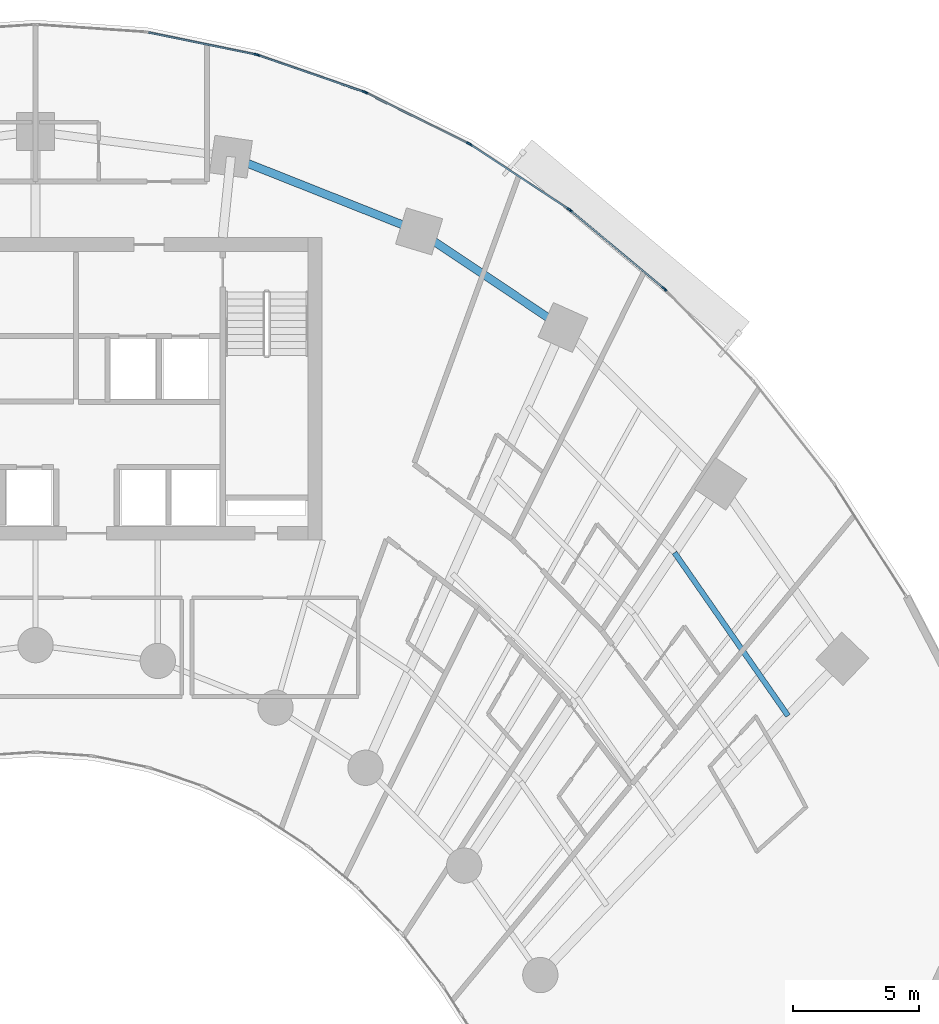
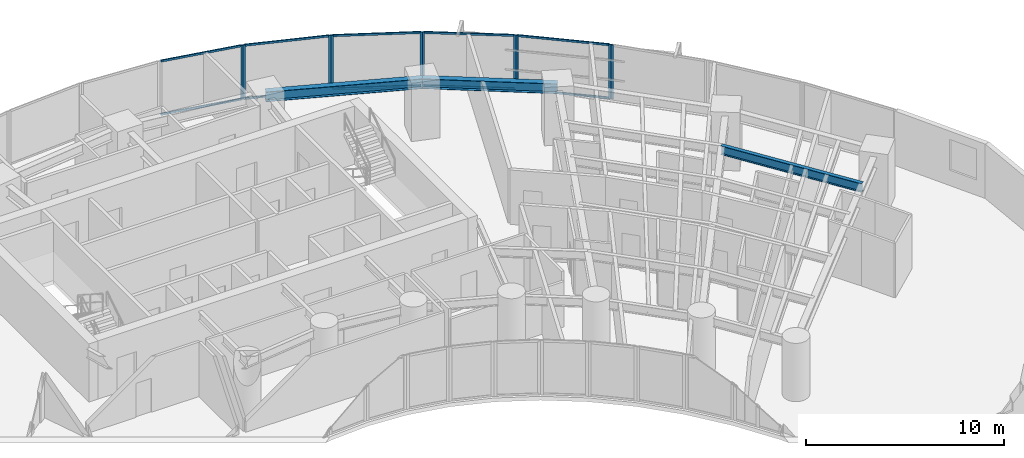
# One storey, part 7 of 18: 20 members, 3 beams, 6 elements without a shape of their own.
"""IFC4 building model written with IfcOpenShell, lengths in metres."""

from ifc_helpers import new_model, si_unit, direction, frame, origin, origin_2d, place, context, subcontext, project, spatial, rectangle, i_section, extrude, source, transform, mapped, material, layer, layer_set, material_profile, profile_set, type_object, type_shapes, element, aggregate, save


model = new_model("IFC4")

# Units and contexts
model_context = context("Model", 3, precision=1e-05, world=origin(), true_north=direction((0.0, 1.0)))
body_context = subcontext(model_context, "Body", "Model", "MODEL_VIEW")
ifc_project = project(units=[si_unit("LENGTHUNIT", "METRE"), si_unit("AREAUNIT", "SQUARE_METRE"), si_unit("VOLUMEUNIT", "CUBIC_METRE"), si_unit("PLANEANGLEUNIT", "RADIAN"), si_unit("MASSUNIT", "GRAM", prefix="KILO")], contexts=[model_context])

# Site, building, storey
site_placement = place(None, origin())
site = spatial("IfcSite", under=ifc_project, at=site_placement, CompositionType="ELEMENT")
building_placement = place(site_placement, origin())
building = spatial("IfcBuilding", under=site, at=building_placement, Name="Breltana Convention Tower", CompositionType="ELEMENT")
storey_placement = place(building_placement, frame((0.0, 0.0, 35.39990234375)))
storey = spatial("IfcBuildingStorey", under=building, at=storey_placement, Name="L06", CompositionType="ELEMENT", Elevation=35.39990234375)

# Beams
ifc_material_1 = material(Name="Steel ASTM A992 Grade 50", Category="steel")
ifc_material_profile_1 = material_profile(ifc_material_1, i_section(OverallWidth=0.323974609375, OverallDepth=0.611083984375, WebThickness=0.0126953125, FlangeThickness=0.01904296875, at=origin_2d()), Name="W24X104")
ifc_profile_set_1 = profile_set([ifc_material_profile_1], Name="Steel ASTM A992 Grade 50")
beam_type_1 = type_object("IfcBeamType", Name="BM-SP-W24X104", PredefinedType="SPANDREL", material=ifc_profile_set_1)
shared_shape_1 = source(origin(), body_context, "Body", "SweptSolid", [
    extrude(i_section(OverallWidth=0.323974609375, OverallDepth=0.611083984375, WebThickness=0.0126953125, FlangeThickness=0.01904296875, at=origin_2d()), origin(), (0.0, 0.0, 1.0), 8.028564453125),
])
beam_1_placement = place(storey_placement, frame((55.746826171875, 75.404296875, 3.0546875), z_axis=(0.929459100394, -0.368925169507, 0.0), x_axis=(0.368925169507, 0.929459100394, 0.0)))
element("IfcBeam", 1, at=beam_1_placement, inside=storey, type_object=beam_type_1, Name="L06 Outer Spandrel Beam 07", PredefinedType="SPANDREL", context=body_context, shape_type="MappedRepresentation", body=[
    mapped(shared_shape_1, transform((0.0, 0.0, 0.0), scale=1.0)),
])
shared_shape_2 = source(origin(), body_context, "Body", "SweptSolid", [
    extrude(i_section(OverallWidth=0.323974609375, OverallDepth=0.611083984375, WebThickness=0.0126953125, FlangeThickness=0.01904296875, at=origin_2d()), origin(), (0.0, 0.0, 1.0), 6.856689453125),
])
beam_2_placement = place(storey_placement, frame((63.208984375, 72.4423828125, 3.0546875), z_axis=(0.83150210718, -0.55552159792, 0.0), x_axis=(0.55552159792, 0.83150210718, 0.0)))
element("IfcBeam", 2, at=beam_2_placement, inside=storey, type_object=beam_type_1, Name="L06 Outer Spandrel Beam 08", PredefinedType="SPANDREL", context=body_context, shape_type="MappedRepresentation", body=[
    mapped(shared_shape_2, transform((0.0, 0.0, 0.0), scale=1.0)),
])
ifc_material_profile_2 = material_profile(ifc_material_1, i_section(OverallWidth=0.214111328125, OverallDepth=0.549072265625, WebThickness=0.0146484375, FlangeThickness=0.023681640625, at=origin_2d()), Name="W21X93")
ifc_profile_set_2 = profile_set([ifc_material_profile_2], Name="Steel ASTM A992 Grade 50")
beam_type_2 = type_object("IfcBeamType", Name="BM-JSG-03", PredefinedType="JOIST", material=ifc_profile_set_2)
shared_shape_3 = source(origin(), body_context, "Body", "SweptSolid", [
    extrude(i_section(OverallWidth=0.214111328125, OverallDepth=0.549072265625, WebThickness=0.0146484375, FlangeThickness=0.023681640625, at=origin_2d()), origin(), (0.0, 0.0, 1.0), 7.88037109375),
])
beam_3_placement = place(storey_placement, frame((73.3359375, 59.70556640625, 3.085693359375), z_axis=(0.571197916304, -0.820812366141, 0.0), x_axis=(0.820812366141, 0.571197916304, 0.0)))
element("IfcBeam", 3, at=beam_3_placement, inside=storey, type_object=beam_type_2, Name="L06 Composite Floor Joist 10.4", PredefinedType="JOIST", context=body_context, shape_type="MappedRepresentation", body=[
    mapped(shared_shape_3, transform((0.0, 0.0, 0.0), scale=1.0)),
])

# Curtain wall, member
ifc_material_2 = material(Name="Aluminium Anodised Bronze Frame", Category="aluminium")
ifc_layer = layer(ifc_material_2, 0.199951171875, Name="Aluminium Anodised Bronze Frame")
ifc_layer_set = layer_set([ifc_layer], Name="Aluminium Anodised Bronze Frame")
curtain_wall_type = type_object("IfcCurtainWallType", Name="CW-SYS-2", PredefinedType="NOTDEFINED", material=ifc_layer_set)
curtain_wall_1_placement = place(storey_placement, origin())
curtain_wall_1 = element("IfcCurtainWall", 4, at=curtain_wall_1_placement, inside=storey, type_object=curtain_wall_type, Name="L06 outer double-skin inner glazing 11", PredefinedType="NOTDEFINED")
ifc_material_3 = material(Name="Aluminium Anodised Bronze", Category="aluminium")
ifc_material_profile_3 = material_profile(ifc_material_3, rectangle(XDim=0.070068359375, YDim=0.175048828125, at=origin_2d()), Name="CWM-70X175")
ifc_profile_set_3 = profile_set([ifc_material_profile_3], Name="Aluminium Anodised Bronze")
member_type_1 = type_object("IfcMemberType", Name="CWM-175", PredefinedType="MULLION", material=ifc_profile_set_3)
shared_shape_4 = source(origin(), body_context, "Body", "SweptSolid", [
    extrude(rectangle(XDim=0.070068359375, YDim=0.175048828125, at=origin_2d()), origin(), (0.0, 0.0, 1.0), 3.360107421875),
])
type_shapes(member_type_1, [shared_shape_4])
member_1_placement = place(storey_placement, frame((56.7451171875, 79.45751953125, 0.0), z_axis=(0.0, 0.0, 1.0), x_axis=(0.200884537139, 0.979614925743, 0.0)))
member_1 = element("IfcMember", 5, at=member_1_placement, type_object=member_type_1, Name="CW-02 mullion 2", PredefinedType="MULLION", context=body_context, shape_type="MappedRepresentation", body=[
    mapped(shared_shape_4, transform((0.0, 0.0, 0.0), scale=1.0)),
])

# Curtain wall, members
curtain_wall_2_placement = place(storey_placement, origin())
curtain_wall_2 = element("IfcCurtainWall", 6, at=curtain_wall_2_placement, inside=storey, type_object=curtain_wall_type, Name="L06 outer double-skin inner glazing 12", PredefinedType="NOTDEFINED")
member_2_placement = place(storey_placement, frame((56.8125, 79.43896484375, 0.0), z_axis=(0.0, 0.0, 1.0), x_axis=(0.32742834581, 0.944876012163, 0.0)))
member_2 = element("IfcMember", 7, at=member_2_placement, type_object=member_type_1, Name="CW-02 mullion 1", PredefinedType="MULLION", context=body_context, shape_type="MappedRepresentation", body=[
    mapped(shared_shape_4, transform((0.0, 0.0, 0.0), scale=1.0)),
])
member_3_placement = place(storey_placement, frame((61.025146484375, 77.979248046875, 0.0), z_axis=(0.0, 0.0, 1.0), x_axis=(0.32742834581, 0.944876012163, 0.0)))
member_3 = element("IfcMember", 8, at=member_3_placement, type_object=member_type_1, Name="CW-02 mullion 2", PredefinedType="MULLION", context=body_context, shape_type="MappedRepresentation", body=[
    mapped(shared_shape_4, transform((0.0, 0.0, 0.0), scale=1.0)),
])

curtain_wall_3_placement = place(storey_placement, origin())
curtain_wall_3 = element("IfcCurtainWall", 9, at=curtain_wall_3_placement, inside=storey, type_object=curtain_wall_type, Name="L06 outer double-skin inner glazing 13", PredefinedType="NOTDEFINED")
member_4_placement = place(storey_placement, frame((61.089599609375, 77.9521484375, 0.0), z_axis=(0.0, 0.0, 1.0), x_axis=(0.444107703726, 0.895973407804, 0.0)))
member_4 = element("IfcMember", 10, at=member_4_placement, type_object=member_type_1, Name="CW-02 mullion 1", PredefinedType="MULLION", context=body_context, shape_type="MappedRepresentation", body=[
    mapped(shared_shape_4, transform((0.0, 0.0, 0.0), scale=1.0)),
])
member_5_placement = place(storey_placement, frame((65.1728515625, 75.92822265625, 0.0), z_axis=(0.0, 0.0, 1.0), x_axis=(0.444107703726, 0.895973407804, 0.0)))
member_5 = element("IfcMember", 11, at=member_5_placement, type_object=member_type_1, Name="CW-02 mullion 2", PredefinedType="MULLION", context=body_context, shape_type="MappedRepresentation", body=[
    mapped(shared_shape_4, transform((0.0, 0.0, 0.0), scale=1.0)),
])

curtain_wall_4_placement = place(storey_placement, origin())
curtain_wall_4 = element("IfcCurtainWall", 12, at=curtain_wall_4_placement, inside=storey, type_object=curtain_wall_type, Name="L06 outer double-skin inner glazing 14", PredefinedType="NOTDEFINED")
member_6_placement = place(storey_placement, frame((65.233642578125, 75.8935546875, 0.0), z_axis=(0.0, 0.0, 1.0), x_axis=(0.548784255746, 0.83596401875, 0.0)))
member_6 = element("IfcMember", 13, at=member_6_placement, type_object=member_type_1, Name="CW-02 mullion 1", PredefinedType="MULLION", context=body_context, shape_type="MappedRepresentation", body=[
    mapped(shared_shape_4, transform((0.0, 0.0, 0.0), scale=1.0)),
])
member_7_placement = place(storey_placement, frame((69.146484375, 73.32470703125, 0.0), z_axis=(0.0, 0.0, 1.0), x_axis=(0.548784255746, 0.83596401875, 0.0)))
member_7 = element("IfcMember", 14, at=member_7_placement, type_object=member_type_1, Name="CW-02 mullion 2", PredefinedType="MULLION", context=body_context, shape_type="MappedRepresentation", body=[
    mapped(shared_shape_4, transform((0.0, 0.0, 0.0), scale=1.0)),
])

curtain_wall_5_placement = place(storey_placement, origin())
curtain_wall_5 = element("IfcCurtainWall", 15, at=curtain_wall_5_placement, inside=storey, type_object=curtain_wall_type, Name="L06 outer double-skin inner glazing 15", PredefinedType="NOTDEFINED")
member_8_placement = place(storey_placement, frame((69.20263671875, 73.283203125, 0.0), z_axis=(0.0, 0.0, 1.0), x_axis=(0.640520193554, 0.767941326958, 0.0)))
member_8 = element("IfcMember", 16, at=member_8_placement, type_object=member_type_1, Name="CW-02 mullion 1", PredefinedType="MULLION", context=body_context, shape_type="MappedRepresentation", body=[
    mapped(shared_shape_4, transform((0.0, 0.0, 0.0), scale=1.0)),
])
member_9_placement = place(storey_placement, frame((72.90478515625, 70.1953125, 0.0), z_axis=(0.0, 0.0, 1.0), x_axis=(0.640520193554, 0.767941326958, 0.0)))
member_9 = element("IfcMember", 17, at=member_9_placement, type_object=member_type_1, Name="CW-02 mullion 2", PredefinedType="MULLION", context=body_context, shape_type="MappedRepresentation", body=[
    mapped(shared_shape_4, transform((0.0, 0.0, 0.0), scale=1.0)),
])

# Curtain wall, member
curtain_wall_6_placement = place(storey_placement, origin())
curtain_wall_6 = element("IfcCurtainWall", 18, at=curtain_wall_6_placement, inside=storey, type_object=curtain_wall_type, Name="L06 outer double-skin inner glazing 16", PredefinedType="NOTDEFINED")
member_10_placement = place(storey_placement, frame((72.955810546875, 70.147705078125, 0.0), z_axis=(0.0, 0.0, 1.0), x_axis=(0.719386421003, 0.694610090106, 0.0)))
member_10 = element("IfcMember", 19, at=member_10_placement, type_object=member_type_1, Name="CW-02 mullion 1", PredefinedType="MULLION", context=body_context, shape_type="MappedRepresentation", body=[
    mapped(shared_shape_4, transform((0.0, 0.0, 0.0), scale=1.0)),
])
aggregate(curtain_wall_6, [member_10])

# Member
ifc_material_profile_4 = material_profile(ifc_material_3, rectangle(XDim=0.070068359375, YDim=0.1201171875, at=origin_2d()), Name="CWT-70X120")
ifc_profile_set_4 = profile_set([ifc_material_profile_4], Name="Aluminium Anodised Bronze")
member_type_2 = type_object("IfcMemberType", Name="CWT-120", PredefinedType="USERDEFINED", material=ifc_profile_set_4)
shared_shape_5 = source(origin(), body_context, "Body", "SweptSolid", [
    extrude(rectangle(XDim=0.070068359375, YDim=0.1201171875, at=origin_2d()), origin(), (0.0, 0.0, 1.0), 4.7509765625),
])
member_11_placement = place(storey_placement, frame((69.2294921875, 73.2607421875, 0.03515625), z_axis=(0.767951631807, -0.64050783852, 0.0), x_axis=(0.64050783852, 0.767951631807, 0.0)))
member_11 = element("IfcMember", 20, at=member_11_placement, type_object=member_type_2, Name="CW-02 transom 1.1", ObjectType="TRANSOM", PredefinedType="USERDEFINED", context=body_context, shape_type="MappedRepresentation", body=[
    mapped(shared_shape_5, transform((0.0, 0.0, 0.0), scale=1.0)),
])

member_12_placement = place(storey_placement, frame((69.2294921875, 73.2607421875, 3.3251953125), z_axis=(0.767951631807, -0.64050783852, 0.0), x_axis=(0.64050783852, 0.767951631807, 0.0)))
member_12 = element("IfcMember", 21, at=member_12_placement, type_object=member_type_2, Name="CW-02 transom 1.2", ObjectType="TRANSOM", PredefinedType="USERDEFINED", context=body_context, shape_type="MappedRepresentation", body=[
    mapped(shared_shape_5, transform((0.0, 0.0, 0.0), scale=1.0)),
])

aggregate(curtain_wall_5, [member_8, member_9, member_11, member_12])

shared_shape_6 = source(origin(), body_context, "Body", "SweptSolid", [
    extrude(rectangle(XDim=0.070068359375, YDim=0.1201171875, at=origin_2d()), origin(), (0.0, 0.0, 1.0), 4.610595703125),
])
member_13_placement = place(storey_placement, frame((65.262939453125, 75.874267578125, 0.03515625), z_axis=(0.835956055104, -0.54879638659, 0.0), x_axis=(0.54879638659, 0.835956055104, 0.0)))
member_13 = element("IfcMember", 22, at=member_13_placement, type_object=member_type_2, Name="CW-02 transom 1.1", ObjectType="TRANSOM", PredefinedType="USERDEFINED", context=body_context, shape_type="MappedRepresentation", body=[
    mapped(shared_shape_6, transform((0.0, 0.0, 0.0), scale=1.0)),
])

member_14_placement = place(storey_placement, frame((65.262939453125, 75.874267578125, 3.3251953125), z_axis=(0.835956055104, -0.54879638659, 0.0), x_axis=(0.54879638659, 0.835956055104, 0.0)))
member_14 = element("IfcMember", 23, at=member_14_placement, type_object=member_type_2, Name="CW-02 transom 1.2", ObjectType="TRANSOM", PredefinedType="USERDEFINED", context=body_context, shape_type="MappedRepresentation", body=[
    mapped(shared_shape_6, transform((0.0, 0.0, 0.0), scale=1.0)),
])

aggregate(curtain_wall_4, [member_6, member_7, member_13, member_14])

shared_shape_7 = source(origin(), body_context, "Body", "SweptSolid", [
    extrude(rectangle(XDim=0.070068359375, YDim=0.1201171875, at=origin_2d()), origin(), (0.0, 0.0, 1.0), 4.487548828125),
])
member_15_placement = place(storey_placement, frame((61.120849609375, 77.936767578125, 0.03515625), z_axis=(0.895977728863, -0.444098986017, 0.0), x_axis=(0.444098986017, 0.895977728863, 0.0)))
member_15 = element("IfcMember", 24, at=member_15_placement, type_object=member_type_2, Name="CW-02 transom 1.1", ObjectType="TRANSOM", PredefinedType="USERDEFINED", context=body_context, shape_type="MappedRepresentation", body=[
    mapped(shared_shape_7, transform((0.0, 0.0, 0.0), scale=1.0)),
])

member_16_placement = place(storey_placement, frame((61.120849609375, 77.936767578125, 3.3251953125), z_axis=(0.895977728863, -0.444098986017, 0.0), x_axis=(0.444098986017, 0.895977728863, 0.0)))
member_16 = element("IfcMember", 25, at=member_16_placement, type_object=member_type_2, Name="CW-02 transom 1.2", ObjectType="TRANSOM", PredefinedType="USERDEFINED", context=body_context, shape_type="MappedRepresentation", body=[
    mapped(shared_shape_7, transform((0.0, 0.0, 0.0), scale=1.0)),
])

aggregate(curtain_wall_3, [member_4, member_5, member_15, member_16])

shared_shape_8 = source(origin(), body_context, "Body", "SweptSolid", [
    extrude(rectangle(XDim=0.070068359375, YDim=0.1201171875, at=origin_2d()), origin(), (0.0, 0.0, 1.0), 4.38818359375),
])
member_17_placement = place(storey_placement, frame((56.845703125, 79.427490234375, 0.03515625), z_axis=(0.944878203019, -0.32742202348, 0.0), x_axis=(0.32742202348, 0.944878203019, 0.0)))
member_17 = element("IfcMember", 26, at=member_17_placement, type_object=member_type_2, Name="CW-02 transom 1.1", ObjectType="TRANSOM", PredefinedType="USERDEFINED", context=body_context, shape_type="MappedRepresentation", body=[
    mapped(shared_shape_8, transform((0.0, 0.0, 0.0), scale=1.0)),
])

member_18_placement = place(storey_placement, frame((56.845703125, 79.427490234375, 3.3251953125), z_axis=(0.944878203019, -0.32742202348, 0.0), x_axis=(0.32742202348, 0.944878203019, 0.0)))
member_18 = element("IfcMember", 27, at=member_18_placement, type_object=member_type_2, Name="CW-02 transom 1.2", ObjectType="TRANSOM", PredefinedType="USERDEFINED", context=body_context, shape_type="MappedRepresentation", body=[
    mapped(shared_shape_8, transform((0.0, 0.0, 0.0), scale=1.0)),
])

aggregate(curtain_wall_2, [member_2, member_3, member_17, member_18])

shared_shape_9 = source(origin(), body_context, "Body", "SweptSolid", [
    extrude(rectangle(XDim=0.070068359375, YDim=0.1201171875, at=origin_2d()), origin(), (0.0, 0.0, 1.0), 4.318359375),
])
member_19_placement = place(storey_placement, frame((52.480712890625, 80.33203125, 0.03515625), z_axis=(0.979616680923, -0.200875977799, 0.0), x_axis=(0.200875977799, 0.979616680923, 0.0)))
member_19 = element("IfcMember", 28, at=member_19_placement, type_object=member_type_2, Name="CW-02 transom 1.1", ObjectType="TRANSOM", PredefinedType="USERDEFINED", context=body_context, shape_type="MappedRepresentation", body=[
    mapped(shared_shape_9, transform((0.0, 0.0, 0.0), scale=1.0)),
])

member_20_placement = place(storey_placement, frame((52.480712890625, 80.33203125, 3.3251953125), z_axis=(0.979616680923, -0.200875977799, 0.0), x_axis=(0.200875977799, 0.979616680923, 0.0)))
member_20 = element("IfcMember", 29, at=member_20_placement, type_object=member_type_2, Name="CW-02 transom 1.2", ObjectType="TRANSOM", PredefinedType="USERDEFINED", context=body_context, shape_type="MappedRepresentation", body=[
    mapped(shared_shape_9, transform((0.0, 0.0, 0.0), scale=1.0)),
])

aggregate(curtain_wall_1, [member_1, member_19, member_20])

save(model, "model.ifc")
